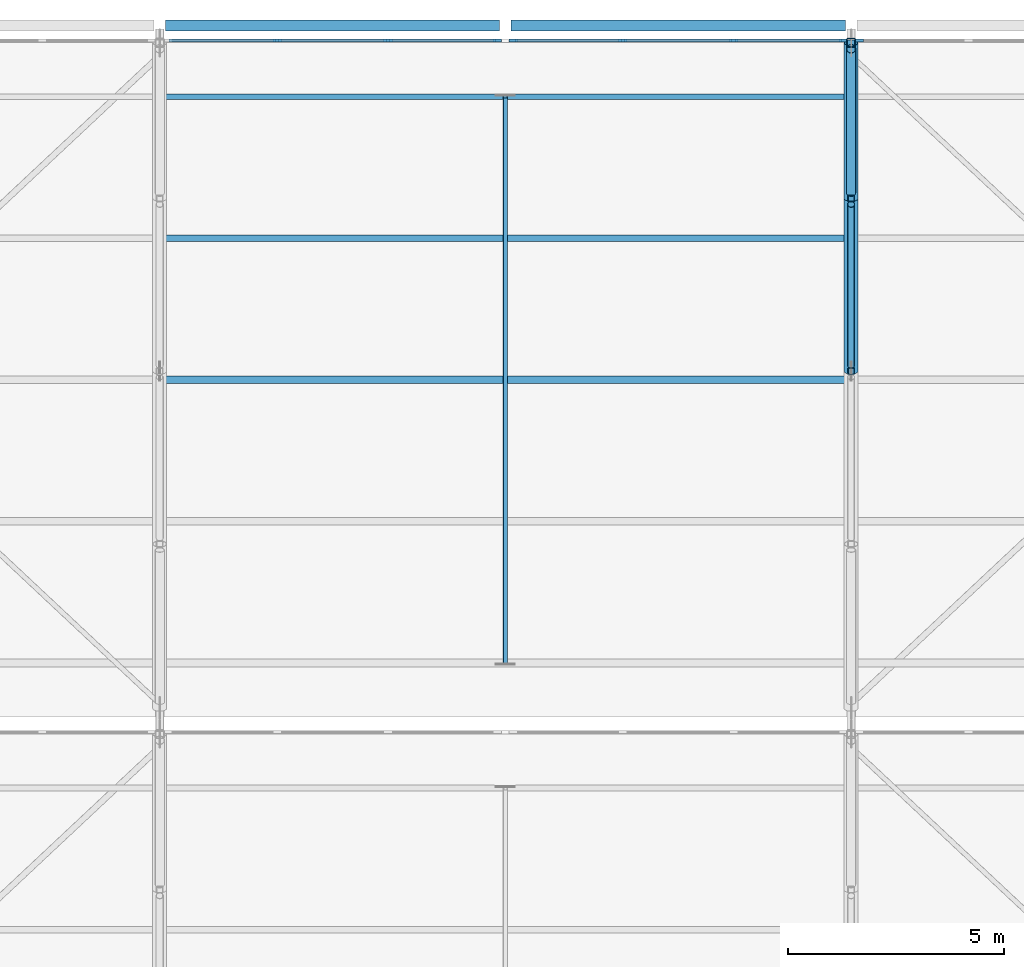
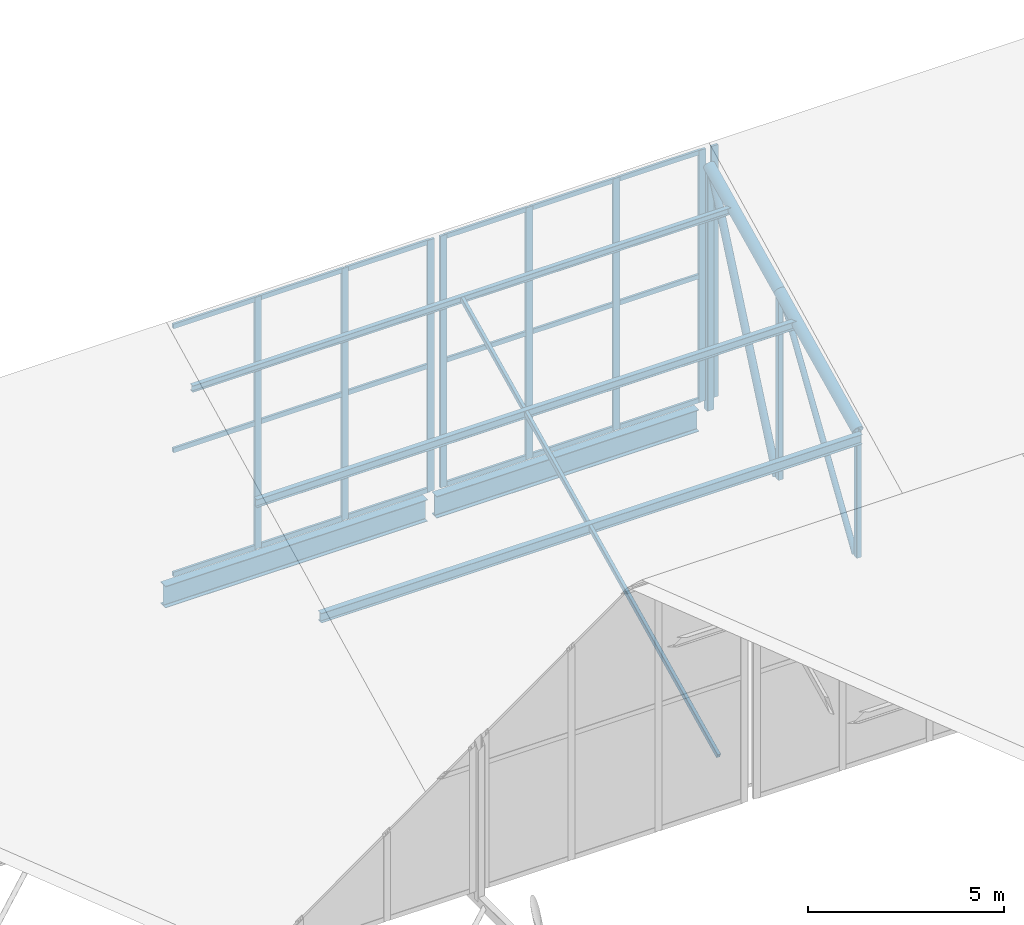
# One storey, part 80 of 137: 34 members, 5 beams, 3 elements without a shape of their own.
"""IFC4 building model written with IfcOpenShell, lengths in metres."""

from ifc_helpers import new_model, si_unit, direction, frame, origin, origin_2d, place, context, subcontext, project, spatial, rectangle, hollow_rectangle, hollow_circle, i_section, extrude, material, layer, layer_set, material_profile, profile_set, type_object, element, aggregate, save


model = new_model("IFC4")

# Units and contexts
model_context = context("Model", 3, precision=1e-05, world=origin(), true_north=direction((0.0, 1.0)))
body_context = subcontext(model_context, "Body", "Model", "MODEL_VIEW")
ifc_project = project(units=[si_unit("LENGTHUNIT", "METRE"), si_unit("AREAUNIT", "SQUARE_METRE"), si_unit("VOLUMEUNIT", "CUBIC_METRE"), si_unit("PLANEANGLEUNIT", "RADIAN"), si_unit("MASSUNIT", "GRAM", prefix="KILO")], contexts=[model_context])

# Site, building, storey
site_placement = place(None, origin())
site = spatial("IfcSite", under=ifc_project, at=site_placement, CompositionType="ELEMENT")
building_placement = place(site_placement, origin())
building = spatial("IfcBuilding", under=site, at=building_placement, Name="Jelvoka-Kovrelna Polytechnic", CompositionType="ELEMENT")
storey_placement = place(building_placement, frame((0.0, 0.0, 9.60009765625)))
storey = spatial("IfcBuildingStorey", under=building, at=storey_placement, Name="L03", CompositionType="ELEMENT", Elevation=9.60009765625)

# Beams
ifc_material_1 = material(Name="Structural steel S355JR", Category="steel")
ifc_material_profile_1 = material_profile(ifc_material_1, i_section(OverallWidth=0.2529296875, OverallDepth=0.677978515625, WebThickness=0.01171875, FlangeThickness=0.01611328125, FilletRadius=0.01513671875, at=origin_2d()), Name="686x254x125 UB")
ifc_profile_set_1 = profile_set([ifc_material_profile_1], Name="Structural steel S355JR")
beam_type_1 = type_object("IfcBeamType", Name="Girder_Steel_UB686", PredefinedType="BEAM", material=ifc_profile_set_1)
for number, where, z_axis, x_axis, name in (
    (1, (136.1328125, 120.0, -0.34912109375), (1.0, 0.0, 0.0), (0.0, 1.0, 0.0), "L03 beam 0102"),
    (2, (144.1328125, 120.0, -0.34912109375), (1.0, 0.0, 0.0), (0.0, 1.0, 0.0), "L03 beam 0104"),
):
    element("IfcBeam", number, at=place(storey_placement, frame(where, z_axis=z_axis, x_axis=x_axis)), inside=storey, type_object=beam_type_1, Name=name, PredefinedType="BEAM", context=body_context, shape_type="SweptSolid", body=[
        extrude(i_section(OverallWidth=0.2529296875, OverallDepth=0.677978515625, WebThickness=0.01171875, FlangeThickness=0.01611328125, FilletRadius=0.01513671875, at=origin_2d()), origin(), (0.0, 0.0, 1.0), 7.734375),
    ])

# Members
ifc_material_2 = material(Name="Structural steel S355J2H", Category="steel")
ifc_material_profile_2 = material_profile(ifc_material_2, hollow_circle(Radius=0.084228515625, WallThickness=0.008056640625, at=origin_2d()), Name="168.3x8.0 CHS")
ifc_profile_set_2 = profile_set([ifc_material_profile_2], Name="Structural steel S355J2H")
member_type_1 = type_object("IfcMemberType", Name="Member_Brace_CHS168", PredefinedType="BRACE", material=ifc_profile_set_2)
member_1_placement = place(storey_placement, frame((152.0, 112.139892578125, 0.14990234375), z_axis=(0.0, 0.5415746521, 0.840652660855), x_axis=(-1.0, 0.0, 0.0)))
element("IfcMember", 3, at=member_1_placement, inside=storey, type_object=member_type_1, Name="Sawtooth truss 5 diagonal web 2.3", PredefinedType="BRACE", context=body_context, shape_type="SweptSolid", body=[
    extrude(hollow_circle(Radius=0.084228515625, WallThickness=0.008056640625, at=origin_2d()), origin(), (0.0, 0.0, 1.0), 6.869140625),
])
ifc_material_3 = material(Name="Structural steel S355J2H", Category="steel")
ifc_material_profile_3 = material_profile(ifc_material_3, hollow_circle(Radius=0.109619140625, WallThickness=0.008056640625, at=origin_2d()), Name="219.1x8.0 CHS")
ifc_profile_set_3 = profile_set([ifc_material_profile_3], Name="Structural steel S355J2H")
member_type_2 = type_object("IfcMemberType", Name="Member_Brace_CHS219", PredefinedType="BRACE", material=ifc_profile_set_3)
member_2_placement = place(storey_placement, frame((152.0, 116.139892578125, 0.14990234375), z_axis=(0.0, 0.404336237521, 0.914610412705), x_axis=(-1.0, 0.0, 0.0)))
element("IfcMember", 4, at=member_2_placement, inside=storey, type_object=member_type_2, Name="Sawtooth truss 5 diagonal web 2.4", PredefinedType="BRACE", context=body_context, shape_type="SweptSolid", body=[
    extrude(hollow_circle(Radius=0.109619140625, WallThickness=0.008056640625, at=origin_2d()), origin(), (0.0, 0.0, 1.0), 8.211181640625),
])
ifc_material_4 = material(Name="Structural steel S355J2H", Category="steel")
ifc_material_profile_4 = material_profile(ifc_material_4, hollow_circle(Radius=0.161865234375, WallThickness=0.010009765625, at=origin_2d()), Name="323.9x10.0 CHS")
ifc_profile_set_4 = profile_set([ifc_material_profile_4], Name="Structural steel S355J2H")
member_type_3 = type_object("IfcMemberType", Name="Member_Chord_CHS324", PredefinedType="CHORD", material=ifc_profile_set_4)
member_3_placement = place(storey_placement, frame((152.0, 112.0, 4.076416015625), z_axis=(0.0, 0.900820911068, 0.434190840741), x_axis=(-1.0, 0.0, 0.0)))
element("IfcMember", 5, at=member_3_placement, inside=storey, type_object=member_type_3, Name="Sawtooth truss 5 top chord 2.3", PredefinedType="CHORD", context=body_context, shape_type="SweptSolid", body=[
    extrude(hollow_circle(Radius=0.161865234375, WallThickness=0.010009765625, at=origin_2d()), origin(), (0.0, 0.0, 1.0), 4.4404296875),
])
member_4_placement = place(storey_placement, frame((152.0, 116.0, 6.00439453125), z_axis=(0.0, 0.900784896778, 0.434265552095), x_axis=(-1.0, 0.0, 0.0)))
element("IfcMember", 6, at=member_4_placement, inside=storey, type_object=member_type_3, Name="Sawtooth truss 5 top chord 2.4", PredefinedType="CHORD", context=body_context, shape_type="SweptSolid", body=[
    extrude(hollow_circle(Radius=0.161865234375, WallThickness=0.010009765625, at=origin_2d()), origin(), (0.0, 0.0, 1.0), 3.99658203125),
])
ifc_material_5 = material(Name="Structural steel S355J2H", Category="steel")
ifc_material_profile_5 = material_profile(ifc_material_5, hollow_rectangle(XDim=0.14990234375, YDim=0.14990234375, WallThickness=0.008056640625, InnerFilletRadius=0.008056640625, OuterFilletRadius=0.011962890625, at=origin_2d()), Name="150x150x8.0 SHS")
ifc_profile_set_5 = profile_set([ifc_material_profile_5], Name="Structural steel S355J2H")
member_type_4 = type_object("IfcMemberType", Name="Member_Post_SHS150", PredefinedType="POST", material=ifc_profile_set_5)
member_5_placement = place(storey_placement, frame((152.0, 112.0, 0.14990234375), z_axis=(0.0, 0.0, 1.0), x_axis=(1.0, 0.0, 0.0)))
element("IfcMember", 7, at=member_5_placement, inside=storey, type_object=member_type_4, Name="Sawtooth truss 5 web post 2.3", PredefinedType="POST", context=body_context, shape_type="SweptSolid", body=[
    extrude(hollow_rectangle(XDim=0.14990234375, YDim=0.14990234375, WallThickness=0.008056640625, InnerFilletRadius=0.008056640625, OuterFilletRadius=0.011962890625, at=origin_2d()), origin(), (0.0, 0.0, 1.0), 3.926513671875),
])
member_6_placement = place(storey_placement, frame((152.0, 116.0, 0.14990234375), z_axis=(0.0, 0.0, 1.0), x_axis=(1.0, 0.0, 0.0)))
element("IfcMember", 8, at=member_6_placement, inside=storey, type_object=member_type_4, Name="Sawtooth truss 5 web post 2.4", PredefinedType="POST", context=body_context, shape_type="SweptSolid", body=[
    extrude(hollow_rectangle(XDim=0.14990234375, YDim=0.14990234375, WallThickness=0.008056640625, InnerFilletRadius=0.008056640625, OuterFilletRadius=0.011962890625, at=origin_2d()), origin(), (0.0, 0.0, 1.0), 5.8544921875),
])
ifc_material_6 = material(Name="Structural steel S355J2H", Category="steel")
ifc_material_profile_6 = material_profile(ifc_material_6, hollow_rectangle(XDim=0.199951171875, YDim=0.199951171875, WallThickness=0.010009765625, InnerFilletRadius=0.010009765625, OuterFilletRadius=0.014892578125, at=origin_2d()), Name="200x200x10.0 SHS")
ifc_profile_set_6 = profile_set([ifc_material_profile_6], Name="Structural steel S355J2H")
member_type_5 = type_object("IfcMemberType", Name="Member_Post_SHS200", PredefinedType="POST", material=ifc_profile_set_6)
member_7_placement = place(storey_placement, frame((152.0, 119.60009765625, 0.14990234375), z_axis=(0.0, 0.0, 1.0), x_axis=(1.0, 0.0, 0.0)))
element("IfcMember", 9, at=member_7_placement, inside=storey, type_object=member_type_5, Name="Sawtooth truss 5 web post 2.5", PredefinedType="POST", context=body_context, shape_type="SweptSolid", body=[
    extrude(hollow_rectangle(XDim=0.199951171875, YDim=0.199951171875, WallThickness=0.010009765625, InnerFilletRadius=0.010009765625, OuterFilletRadius=0.014892578125, at=origin_2d()), origin(), (0.0, 0.0, 1.0), 7.590087890625),
])
ifc_material_7 = material(Name="Structural steel S355J2H", Category="steel")
ifc_material_profile_7 = material_profile(ifc_material_7, hollow_rectangle(XDim=0.10009765625, YDim=0.14990234375, WallThickness=0.00634765625, InnerFilletRadius=0.00634765625, OuterFilletRadius=0.009521484375, at=origin_2d()), Name="150x100x6.3 RHS")
ifc_profile_set_7 = profile_set([ifc_material_profile_7], Name="Structural steel S355J2H")
member_type_6 = type_object("IfcMemberType", Name="Member_Rafter_RHS150", PredefinedType="RAFTER", material=ifc_profile_set_7)
member_8_placement = place(storey_placement, frame((144.0, 105.248046875, 0.821533203125), z_axis=(0.0, 0.900805023058, 0.434223802243), x_axis=(-1.0, 0.0, 0.0)))
element("IfcMember", 10, at=member_8_placement, inside=storey, type_object=member_type_6, Name="Sawtooth mid-bay secondary rafter 4.2", PredefinedType="RAFTER", context=body_context, shape_type="SweptSolid", body=[
    extrude(hollow_rectangle(XDim=0.10009765625, YDim=0.14990234375, WallThickness=0.00634765625, InnerFilletRadius=0.00634765625, OuterFilletRadius=0.009521484375, at=origin_2d()), origin(), (0.0, 0.0, 1.0), 14.546875),
])

# Curtain wall, members
ifc_material_8 = material(Name="Anodised aluminium 6063-T6", Category="aluminium")
ifc_layer = layer(ifc_material_8, 0.199951171875)
ifc_layer_set = layer_set([ifc_layer], Name="Anodised aluminium 6063-T6")
curtain_wall_type = type_object("IfcCurtainWallType", Name="CW_Clerestory", PredefinedType="NOTDEFINED", material=ifc_layer_set)
curtain_wall_1_placement = place(storey_placement, origin())
curtain_wall_1 = element("IfcCurtainWall", 11, at=curtain_wall_1_placement, inside=storey, type_object=curtain_wall_type, Name="L03 glazed curtain wall 196", PredefinedType="NOTDEFINED")
ifc_material_9 = material(Name="Anodised aluminium 6063-T6", Category="aluminium")
ifc_material_profile_8 = material_profile(ifc_material_9, rectangle(XDim=0.070068359375, YDim=0.199951171875, at=origin_2d()), Name="ALU 70x200")
ifc_profile_set_8 = profile_set([ifc_material_profile_8], Name="Anodised aluminium 6063-T6")
member_type_7 = type_object("IfcMemberType", Name="Mullion_M-03", PredefinedType="MULLION", material=ifc_profile_set_8)
member_9_placement = place(storey_placement, frame((138.716552734375, 119.64990234375, 0.425048828125), z_axis=(0.0, 0.0, 1.0), x_axis=(0.0, 1.0, 0.0)))
member_9 = element("IfcMember", 12, at=member_9_placement, type_object=member_type_7, Name="CW-03 mullion 2", PredefinedType="MULLION", context=body_context, shape_type="SweptSolid", body=[
    extrude(rectangle(XDim=0.070068359375, YDim=0.199951171875, at=origin_2d()), origin(), (0.0, 0.0, 1.0), 7.85009765625),
])
member_10_placement = place(storey_placement, frame((141.283447265625, 119.64990234375, 0.425048828125), z_axis=(0.0, 0.0, 1.0), x_axis=(0.0, 1.0, 0.0)))
member_10 = element("IfcMember", 13, at=member_10_placement, type_object=member_type_7, Name="CW-03 mullion 3", PredefinedType="MULLION", context=body_context, shape_type="SweptSolid", body=[
    extrude(rectangle(XDim=0.070068359375, YDim=0.199951171875, at=origin_2d()), origin(), (0.0, 0.0, 1.0), 7.85009765625),
])
member_11_placement = place(storey_placement, frame((143.81494140625, 119.64990234375, 0.425048828125), z_axis=(0.0, 0.0, 1.0), x_axis=(0.0, 1.0, 0.0)))
member_11 = element("IfcMember", 14, at=member_11_placement, type_object=member_type_7, Name="CW-03 mullion 4", PredefinedType="MULLION", context=body_context, shape_type="SweptSolid", body=[
    extrude(rectangle(XDim=0.070068359375, YDim=0.199951171875, at=origin_2d()), origin(), (0.0, 0.0, 1.0), 7.85009765625),
])

curtain_wall_2_placement = place(storey_placement, origin())
curtain_wall_2 = element("IfcCurtainWall", 15, at=curtain_wall_2_placement, inside=storey, type_object=curtain_wall_type, Name="L03 glazed curtain wall 198", PredefinedType="NOTDEFINED")
member_12_placement = place(storey_placement, frame((144.18505859375, 119.64990234375, 0.425048828125), z_axis=(0.0, 0.0, 1.0), x_axis=(0.0, 1.0, 0.0)))
member_12 = element("IfcMember", 16, at=member_12_placement, type_object=member_type_7, Name="CW-03 mullion 1", PredefinedType="MULLION", context=body_context, shape_type="SweptSolid", body=[
    extrude(rectangle(XDim=0.070068359375, YDim=0.199951171875, at=origin_2d()), origin(), (0.0, 0.0, 1.0), 7.85009765625),
])
member_13_placement = place(storey_placement, frame((146.716552734375, 119.64990234375, 0.425048828125), z_axis=(0.0, 0.0, 1.0), x_axis=(0.0, 1.0, 0.0)))
member_13 = element("IfcMember", 17, at=member_13_placement, type_object=member_type_7, Name="CW-03 mullion 2", PredefinedType="MULLION", context=body_context, shape_type="SweptSolid", body=[
    extrude(rectangle(XDim=0.070068359375, YDim=0.199951171875, at=origin_2d()), origin(), (0.0, 0.0, 1.0), 7.85009765625),
])
member_14_placement = place(storey_placement, frame((149.283447265625, 119.64990234375, 0.425048828125), z_axis=(0.0, 0.0, 1.0), x_axis=(0.0, 1.0, 0.0)))
member_14 = element("IfcMember", 18, at=member_14_placement, type_object=member_type_7, Name="CW-03 mullion 3", PredefinedType="MULLION", context=body_context, shape_type="SweptSolid", body=[
    extrude(rectangle(XDim=0.070068359375, YDim=0.199951171875, at=origin_2d()), origin(), (0.0, 0.0, 1.0), 7.85009765625),
])
member_15_placement = place(storey_placement, frame((151.81494140625, 119.64990234375, 0.425048828125), z_axis=(0.0, 0.0, 1.0), x_axis=(0.0, 1.0, 0.0)))
member_15 = element("IfcMember", 19, at=member_15_placement, type_object=member_type_7, Name="CW-03 mullion 4", PredefinedType="MULLION", context=body_context, shape_type="SweptSolid", body=[
    extrude(rectangle(XDim=0.070068359375, YDim=0.199951171875, at=origin_2d()), origin(), (0.0, 0.0, 1.0), 7.85009765625),
])

# Curtain wall, member
curtain_wall_3_placement = place(storey_placement, origin())
curtain_wall_3 = element("IfcCurtainWall", 20, at=curtain_wall_3_placement, inside=storey, type_object=curtain_wall_type, Name="L03 glazed curtain wall 200", PredefinedType="NOTDEFINED")
member_16_placement = place(storey_placement, frame((152.18505859375, 119.64990234375, 0.425048828125), z_axis=(0.0, 0.0, 1.0), x_axis=(0.0, 1.0, 0.0)))
member_16 = element("IfcMember", 21, at=member_16_placement, type_object=member_type_7, Name="CW-03 mullion 1", PredefinedType="MULLION", context=body_context, shape_type="SweptSolid", body=[
    extrude(rectangle(XDim=0.070068359375, YDim=0.199951171875, at=origin_2d()), origin(), (0.0, 0.0, 1.0), 7.85009765625),
])
aggregate(curtain_wall_3, [member_16])

# Beams
ifc_material_10 = material(Name="Structural steel S355JR", Category="steel")
ifc_material_profile_9 = material_profile(ifc_material_10, i_section(OverallWidth=0.13330078125, OverallDepth=0.203125, WebThickness=0.005615234375, FlangeThickness=0.0078125, FilletRadius=0.007568359375, at=origin_2d()), Name="203x133x25 UB")
ifc_profile_set_9 = profile_set([ifc_material_profile_9], Name="Structural steel S355JR")
beam_type_2 = type_object("IfcBeamType", Name="Purlin_Steel_UB203", PredefinedType="JOIST", material=ifc_profile_set_9)
beam_1_placement = place(storey_placement, frame((136.02001953125, 118.35205078125, 7.13818359375), z_axis=(1.0, 0.0, 0.0), x_axis=(0.0, 1.0, 0.0)))
element("IfcBeam", 22, at=beam_1_placement, inside=storey, type_object=beam_type_2, Name="Sawtooth roof purlin 040", PredefinedType="JOIST", context=body_context, shape_type="SweptSolid", body=[
    extrude(i_section(OverallWidth=0.13330078125, OverallDepth=0.203125, WebThickness=0.005615234375, FlangeThickness=0.0078125, FilletRadius=0.007568359375, at=origin_2d()), origin(), (0.0, 0.0, 1.0), 15.9599609375),
])
ifc_material_11 = material(Name="Structural steel S355JR", Category="steel")
ifc_material_profile_10 = material_profile(ifc_material_11, i_section(OverallWidth=0.14599609375, OverallDepth=0.25146484375, WebThickness=0.006103515625, FlangeThickness=0.008544921875, FilletRadius=0.007568359375, at=origin_2d()), Name="254x146x31 UB")
ifc_profile_set_10 = profile_set([ifc_material_profile_10], Name="Structural steel S355JR")
beam_type_3 = type_object("IfcBeamType", Name="Purlin_Steel_UB254", PredefinedType="JOIST", material=ifc_profile_set_10)
beam_2_placement = place(storey_placement, frame((136.02001953125, 115.075927734375, 5.55908203125), z_axis=(1.0, 0.0, 0.0), x_axis=(0.0, 1.0, 0.0)))
element("IfcBeam", 23, at=beam_2_placement, inside=storey, type_object=beam_type_3, Name="Sawtooth roof purlin 039", PredefinedType="JOIST", context=body_context, shape_type="SweptSolid", body=[
    extrude(i_section(OverallWidth=0.14599609375, OverallDepth=0.25146484375, WebThickness=0.006103515625, FlangeThickness=0.008544921875, FilletRadius=0.007568359375, at=origin_2d()), origin(), (0.0, 0.0, 1.0), 15.9599609375),
])
ifc_material_12 = material(Name="Structural steel S355JR", Category="steel")
ifc_material_profile_11 = material_profile(ifc_material_12, i_section(OverallWidth=0.1650390625, OverallDepth=0.303466796875, WebThickness=0.006103515625, FlangeThickness=0.01025390625, FilletRadius=0.0087890625, at=origin_2d()), Name="305x165x40 UB")
ifc_profile_set_11 = profile_set([ifc_material_profile_11], Name="Structural steel S355JR")
beam_type_4 = type_object("IfcBeamType", Name="Purlin_Steel_UB305", PredefinedType="JOIST", material=ifc_profile_set_11)
beam_3_placement = place(storey_placement, frame((136.02001953125, 111.800048828125, 3.97998046875), z_axis=(1.0, 0.0, 0.0), x_axis=(0.0, 1.0, 0.0)))
element("IfcBeam", 24, at=beam_3_placement, inside=storey, type_object=beam_type_4, Name="Sawtooth roof purlin 038", PredefinedType="JOIST", context=body_context, shape_type="SweptSolid", body=[
    extrude(i_section(OverallWidth=0.1650390625, OverallDepth=0.303466796875, WebThickness=0.006103515625, FlangeThickness=0.01025390625, FilletRadius=0.0087890625, at=origin_2d()), origin(), (0.0, 0.0, 1.0), 15.9599609375),
])

# Member
ifc_material_13 = material(Name="Anodised aluminium 6063-T6", Category="aluminium")
ifc_material_profile_12 = material_profile(ifc_material_13, rectangle(XDim=0.070068359375, YDim=0.14501953125, at=origin_2d()), Name="ALU 70x145")
ifc_profile_set_12 = profile_set([ifc_material_profile_12], Name="Anodised aluminium 6063-T6")
member_type_8 = type_object("IfcMemberType", Name="Transom_T-03", PredefinedType="USERDEFINED", material=ifc_profile_set_12)
member_17_placement = place(storey_placement, frame((136.219970703125, 119.64990234375, 0.48486328125), z_axis=(1.0, 0.0, 0.0), x_axis=(0.0, 1.0, 0.0)))
member_17 = element("IfcMember", 25, at=member_17_placement, type_object=member_type_8, Name="CW-03 transom 1.1", ObjectType="TRANSOM", PredefinedType="USERDEFINED", context=body_context, shape_type="SweptSolid", body=[
    extrude(rectangle(XDim=0.070068359375, YDim=0.14501953125, at=origin_2d()), origin(), (0.0, 0.0, 1.0), 2.461669921875),
])

member_18_placement = place(storey_placement, frame((136.219970703125, 119.64990234375, 4.349853515625), z_axis=(1.0, 0.0, 0.0), x_axis=(0.0, 1.0, 0.0)))
member_18 = element("IfcMember", 26, at=member_18_placement, type_object=member_type_8, Name="CW-03 transom 1.2", ObjectType="TRANSOM", PredefinedType="USERDEFINED", context=body_context, shape_type="SweptSolid", body=[
    extrude(rectangle(XDim=0.070068359375, YDim=0.14501953125, at=origin_2d()), origin(), (0.0, 0.0, 1.0), 2.461669921875),
])

member_19_placement = place(storey_placement, frame((136.219970703125, 119.64990234375, 8.21484375), z_axis=(1.0, 0.0, 0.0), x_axis=(0.0, 1.0, 0.0)))
member_19 = element("IfcMember", 27, at=member_19_placement, type_object=member_type_8, Name="CW-03 transom 1.3", ObjectType="TRANSOM", PredefinedType="USERDEFINED", context=body_context, shape_type="SweptSolid", body=[
    extrude(rectangle(XDim=0.070068359375, YDim=0.14501953125, at=origin_2d()), origin(), (0.0, 0.0, 1.0), 2.461669921875),
])

member_20_placement = place(storey_placement, frame((138.751708984375, 119.64990234375, 0.48486328125), z_axis=(1.0, 0.0, 0.0), x_axis=(0.0, 1.0, 0.0)))
member_20 = element("IfcMember", 28, at=member_20_placement, type_object=member_type_8, Name="CW-03 transom 2.1", ObjectType="TRANSOM", PredefinedType="USERDEFINED", context=body_context, shape_type="SweptSolid", body=[
    extrude(rectangle(XDim=0.070068359375, YDim=0.14501953125, at=origin_2d()), origin(), (0.0, 0.0, 1.0), 2.49658203125),
])

member_21_placement = place(storey_placement, frame((138.751708984375, 119.64990234375, 4.349853515625), z_axis=(1.0, 0.0, 0.0), x_axis=(0.0, 1.0, 0.0)))
member_21 = element("IfcMember", 29, at=member_21_placement, type_object=member_type_8, Name="CW-03 transom 2.2", ObjectType="TRANSOM", PredefinedType="USERDEFINED", context=body_context, shape_type="SweptSolid", body=[
    extrude(rectangle(XDim=0.070068359375, YDim=0.14501953125, at=origin_2d()), origin(), (0.0, 0.0, 1.0), 2.49658203125),
])

member_22_placement = place(storey_placement, frame((138.751708984375, 119.64990234375, 8.21484375), z_axis=(1.0, 0.0, 0.0), x_axis=(0.0, 1.0, 0.0)))
member_22 = element("IfcMember", 30, at=member_22_placement, type_object=member_type_8, Name="CW-03 transom 2.3", ObjectType="TRANSOM", PredefinedType="USERDEFINED", context=body_context, shape_type="SweptSolid", body=[
    extrude(rectangle(XDim=0.070068359375, YDim=0.14501953125, at=origin_2d()), origin(), (0.0, 0.0, 1.0), 2.49658203125),
])

member_23_placement = place(storey_placement, frame((141.318359375, 119.64990234375, 0.48486328125), z_axis=(1.0, 0.0, 0.0), x_axis=(0.0, 1.0, 0.0)))
member_23 = element("IfcMember", 31, at=member_23_placement, type_object=member_type_8, Name="CW-03 transom 3.1", ObjectType="TRANSOM", PredefinedType="USERDEFINED", context=body_context, shape_type="SweptSolid", body=[
    extrude(rectangle(XDim=0.070068359375, YDim=0.14501953125, at=origin_2d()), origin(), (0.0, 0.0, 1.0), 2.461669921875),
])

member_24_placement = place(storey_placement, frame((141.318359375, 119.64990234375, 4.349853515625), z_axis=(1.0, 0.0, 0.0), x_axis=(0.0, 1.0, 0.0)))
member_24 = element("IfcMember", 32, at=member_24_placement, type_object=member_type_8, Name="CW-03 transom 3.2", ObjectType="TRANSOM", PredefinedType="USERDEFINED", context=body_context, shape_type="SweptSolid", body=[
    extrude(rectangle(XDim=0.070068359375, YDim=0.14501953125, at=origin_2d()), origin(), (0.0, 0.0, 1.0), 2.461669921875),
])

member_25_placement = place(storey_placement, frame((141.318359375, 119.64990234375, 8.21484375), z_axis=(1.0, 0.0, 0.0), x_axis=(0.0, 1.0, 0.0)))
member_25 = element("IfcMember", 33, at=member_25_placement, type_object=member_type_8, Name="CW-03 transom 3.3", ObjectType="TRANSOM", PredefinedType="USERDEFINED", context=body_context, shape_type="SweptSolid", body=[
    extrude(rectangle(XDim=0.070068359375, YDim=0.14501953125, at=origin_2d()), origin(), (0.0, 0.0, 1.0), 2.461669921875),
])

aggregate(curtain_wall_1, [member_9, member_10, member_11, member_17, member_18, member_19, member_20, member_21, member_22, member_23, member_24, member_25])

member_26_placement = place(storey_placement, frame((144.219970703125, 119.64990234375, 0.48486328125), z_axis=(1.0, 0.0, 0.0), x_axis=(0.0, 1.0, 0.0)))
member_26 = element("IfcMember", 34, at=member_26_placement, type_object=member_type_8, Name="CW-03 transom 1.1", ObjectType="TRANSOM", PredefinedType="USERDEFINED", context=body_context, shape_type="SweptSolid", body=[
    extrude(rectangle(XDim=0.070068359375, YDim=0.14501953125, at=origin_2d()), origin(), (0.0, 0.0, 1.0), 2.461669921875),
])

member_27_placement = place(storey_placement, frame((144.219970703125, 119.64990234375, 4.349853515625), z_axis=(1.0, 0.0, 0.0), x_axis=(0.0, 1.0, 0.0)))
member_27 = element("IfcMember", 35, at=member_27_placement, type_object=member_type_8, Name="CW-03 transom 1.2", ObjectType="TRANSOM", PredefinedType="USERDEFINED", context=body_context, shape_type="SweptSolid", body=[
    extrude(rectangle(XDim=0.070068359375, YDim=0.14501953125, at=origin_2d()), origin(), (0.0, 0.0, 1.0), 2.461669921875),
])

member_28_placement = place(storey_placement, frame((144.219970703125, 119.64990234375, 8.21484375), z_axis=(1.0, 0.0, 0.0), x_axis=(0.0, 1.0, 0.0)))
member_28 = element("IfcMember", 36, at=member_28_placement, type_object=member_type_8, Name="CW-03 transom 1.3", ObjectType="TRANSOM", PredefinedType="USERDEFINED", context=body_context, shape_type="SweptSolid", body=[
    extrude(rectangle(XDim=0.070068359375, YDim=0.14501953125, at=origin_2d()), origin(), (0.0, 0.0, 1.0), 2.461669921875),
])

member_29_placement = place(storey_placement, frame((146.751708984375, 119.64990234375, 0.48486328125), z_axis=(1.0, 0.0, 0.0), x_axis=(0.0, 1.0, 0.0)))
member_29 = element("IfcMember", 37, at=member_29_placement, type_object=member_type_8, Name="CW-03 transom 2.1", ObjectType="TRANSOM", PredefinedType="USERDEFINED", context=body_context, shape_type="SweptSolid", body=[
    extrude(rectangle(XDim=0.070068359375, YDim=0.14501953125, at=origin_2d()), origin(), (0.0, 0.0, 1.0), 2.49658203125),
])

member_30_placement = place(storey_placement, frame((146.751708984375, 119.64990234375, 4.349853515625), z_axis=(1.0, 0.0, 0.0), x_axis=(0.0, 1.0, 0.0)))
member_30 = element("IfcMember", 38, at=member_30_placement, type_object=member_type_8, Name="CW-03 transom 2.2", ObjectType="TRANSOM", PredefinedType="USERDEFINED", context=body_context, shape_type="SweptSolid", body=[
    extrude(rectangle(XDim=0.070068359375, YDim=0.14501953125, at=origin_2d()), origin(), (0.0, 0.0, 1.0), 2.49658203125),
])

member_31_placement = place(storey_placement, frame((146.751708984375, 119.64990234375, 8.21484375), z_axis=(1.0, 0.0, 0.0), x_axis=(0.0, 1.0, 0.0)))
member_31 = element("IfcMember", 39, at=member_31_placement, type_object=member_type_8, Name="CW-03 transom 2.3", ObjectType="TRANSOM", PredefinedType="USERDEFINED", context=body_context, shape_type="SweptSolid", body=[
    extrude(rectangle(XDim=0.070068359375, YDim=0.14501953125, at=origin_2d()), origin(), (0.0, 0.0, 1.0), 2.49658203125),
])

member_32_placement = place(storey_placement, frame((149.318359375, 119.64990234375, 0.48486328125), z_axis=(1.0, 0.0, 0.0), x_axis=(0.0, 1.0, 0.0)))
member_32 = element("IfcMember", 40, at=member_32_placement, type_object=member_type_8, Name="CW-03 transom 3.1", ObjectType="TRANSOM", PredefinedType="USERDEFINED", context=body_context, shape_type="SweptSolid", body=[
    extrude(rectangle(XDim=0.070068359375, YDim=0.14501953125, at=origin_2d()), origin(), (0.0, 0.0, 1.0), 2.461669921875),
])

member_33_placement = place(storey_placement, frame((149.318359375, 119.64990234375, 4.349853515625), z_axis=(1.0, 0.0, 0.0), x_axis=(0.0, 1.0, 0.0)))
member_33 = element("IfcMember", 41, at=member_33_placement, type_object=member_type_8, Name="CW-03 transom 3.2", ObjectType="TRANSOM", PredefinedType="USERDEFINED", context=body_context, shape_type="SweptSolid", body=[
    extrude(rectangle(XDim=0.070068359375, YDim=0.14501953125, at=origin_2d()), origin(), (0.0, 0.0, 1.0), 2.461669921875),
])

member_34_placement = place(storey_placement, frame((149.318359375, 119.64990234375, 8.21484375), z_axis=(1.0, 0.0, 0.0), x_axis=(0.0, 1.0, 0.0)))
member_34 = element("IfcMember", 42, at=member_34_placement, type_object=member_type_8, Name="CW-03 transom 3.3", ObjectType="TRANSOM", PredefinedType="USERDEFINED", context=body_context, shape_type="SweptSolid", body=[
    extrude(rectangle(XDim=0.070068359375, YDim=0.14501953125, at=origin_2d()), origin(), (0.0, 0.0, 1.0), 2.461669921875),
])

aggregate(curtain_wall_2, [member_12, member_13, member_14, member_15, member_26, member_27, member_28, member_29, member_30, member_31, member_32, member_33, member_34])

save(model, "model.ifc")
